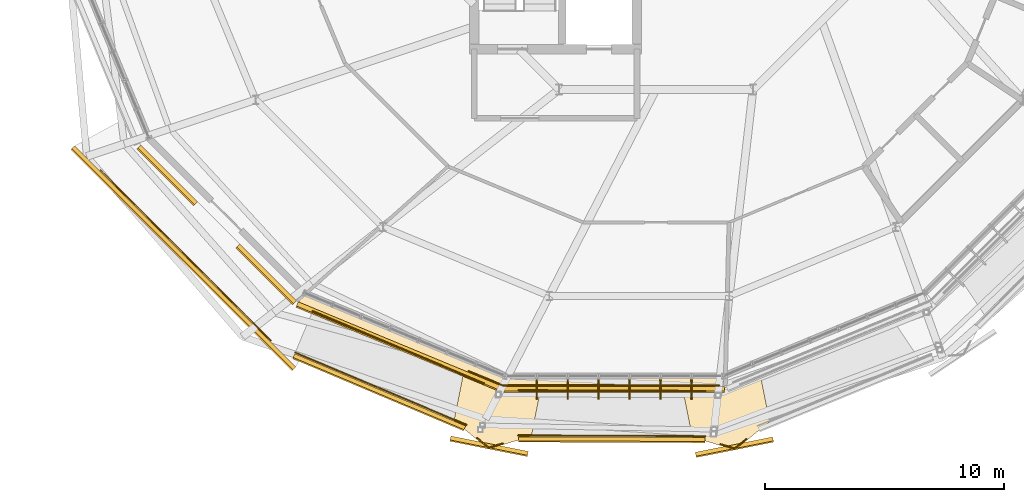
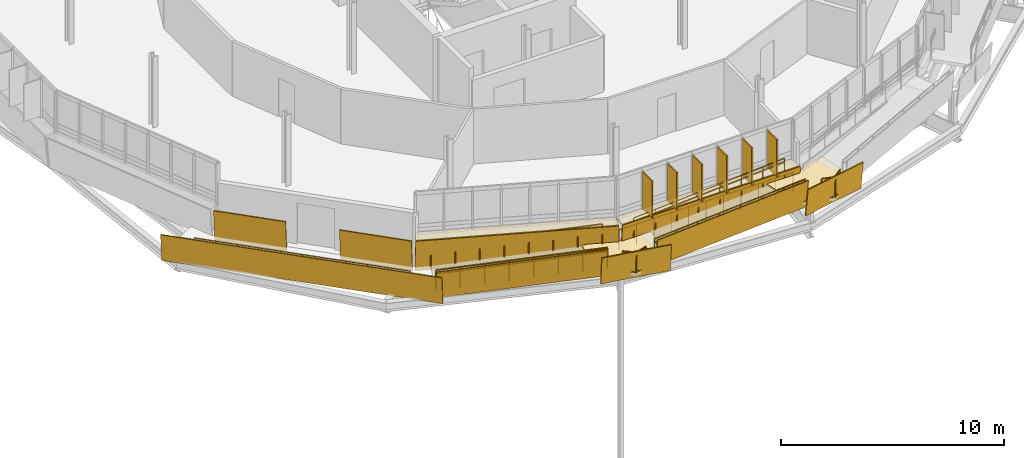
# One storey, part 32 of 38: 23 railings, 13 coverings, 6 shading devices.
"""IFC4 building model written with IfcOpenShell, lengths in metres."""

import ifcopenshell
import ifcopenshell.guid

model = None  # the IFC model being written
_history = None  # IfcOwnerHistory: only IFC2X3 demands one
_inside = {}  # id of a spatial element -> (the spatial element, [elements in it])
_under = {}  # id of a project, library or spatial element -> (it, [spatial elements below it])
_declared = {}  # id of a project -> (the project, [libraries it declares])
_typed = {}  # id of a type object -> (the type object, [elements of that type])
_made_of = {}  # id of a material, layer set ... -> (it, [elements and type objects made of it])


def new_model(schema):
    """Start an empty IFC model of exactly this schema.

    Asked for "IFC4X3", IfcOpenShell would pick the latest addendum, in which some entities
    have other attributes; the version numbers below select the first issue.
    IFC2X3 requires an IfcOwnerHistory on every rooted entity: one is made here for all.
    """
    global model, _history
    if schema == "IFC4X3":
        model = ifcopenshell.file(schema_version=(4, 3, 0, 0))
    else:
        model = ifcopenshell.file(schema=schema)
    _inside.clear()
    _under.clear()
    _declared.clear()
    _typed.clear()
    _made_of.clear()
    _history = None
    if model.schema == "IFC2X3":
        org = make("IfcOrganization", Name="unknown")
        user = make(
            "IfcPersonAndOrganization",
            ThePerson=make("IfcPerson", FamilyName="unknown"),
            TheOrganization=org,
        )
        app = make(
            "IfcApplication",
            ApplicationDeveloper=org,
            Version="unknown",
            ApplicationFullName="unknown",
            ApplicationIdentifier="unknown",
        )
        _history = make(
            "IfcOwnerHistory",
            OwningUser=user,
            OwningApplication=app,
            ChangeAction="ADDED",
            CreationDate=0,
        )
    return model


def make(cls, **values):
    """One entity of the class cls with the attributes given. An attribute that is None is left unset."""
    return model.create_entity(
        cls, **{name: value for name, value in values.items() if value is not None}
    )


def rooted(cls, **values):
    """An entity with a GlobalId (a new one), such as an element, a storey or a relation."""
    return make(cls, GlobalId=ifcopenshell.guid.new(), OwnerHistory=_history, **values)


def si_unit(unit_type, name, prefix=None):
    """IfcSIUnit, for example si_unit("LENGTHUNIT", "METRE", prefix="MILLI")."""
    return make("IfcSIUnit", UnitType=unit_type, Prefix=prefix, Name=name)


def derived_unit(unit_type, elements):
    """IfcDerivedUnit: a product of units, each with its exponent."""
    return make(
        "IfcDerivedUnit",
        Elements=[
            make("IfcDerivedUnitElement", Unit=unit, Exponent=power)
            for unit, power in elements
        ],
        UnitType=unit_type,
    )


def assignment(units):
    """IfcUnitAssignment: the units of a project."""
    return None if units is None else make("IfcUnitAssignment", Units=units)


def point(xyz):
    """IfcCartesianPoint."""
    return None if xyz is None else make("IfcCartesianPoint", Coordinates=xyz)


def direction(xyz):
    """IfcDirection."""
    return None if xyz is None else make("IfcDirection", DirectionRatios=xyz)


def frame(location, z_axis=None, x_axis=None):
    """IfcAxis2Placement3D, a coordinate frame: its origin and axes. An axis left out is left unset."""
    return make(
        "IfcAxis2Placement3D",
        Location=point(location),
        Axis=direction(z_axis),
        RefDirection=direction(x_axis),
    )


def frame_2d(location, x_axis=None):
    """IfcAxis2Placement2D, a coordinate frame in the plane: its origin and x axis."""
    return make(
        "IfcAxis2Placement2D", Location=point(location), RefDirection=direction(x_axis)
    )


def origin():
    """The frame at (0, 0, 0) with its axes left unset."""
    return frame((0.0, 0.0, 0.0))


def origin_2d():
    """The frame at (0, 0) in the plane with its x axis left unset."""
    return frame_2d((0.0, 0.0))


def place(relative_to, where):
    """IfcLocalPlacement: puts the frame where relative to a parent placement (None: the world)."""
    return make(
        "IfcLocalPlacement", PlacementRelTo=relative_to, RelativePlacement=where
    )


def context(
    kind, dimensions, precision=None, world=None, true_north=None, identifier=None
):
    """IfcGeometricRepresentationContext, for example the 3D "Model" context."""
    return make(
        "IfcGeometricRepresentationContext",
        ContextIdentifier=identifier,
        ContextType=kind,
        CoordinateSpaceDimension=dimensions,
        Precision=precision,
        WorldCoordinateSystem=world,
        TrueNorth=true_north,
    )


def subcontext(parent, identifier, kind, view, scale=None):
    """IfcGeometricRepresentationSubContext, for example "Body" below "Model"."""
    return make(
        "IfcGeometricRepresentationSubContext",
        ContextIdentifier=identifier,
        ContextType=kind,
        ParentContext=parent,
        TargetScale=scale,
        TargetView=view,
    )


def project(units=None, contexts=None):
    """IfcProject with its units and contexts."""
    return rooted(
        "IfcProject",
        Name="project",
        RepresentationContexts=contexts,
        UnitsInContext=assignment(units),
    )


def spatial(cls, under=None, at=None, **own):
    """A site, building, storey or space (cls), placed at a placement, below another one or the project."""
    s = rooted(cls, ObjectPlacement=at, **own)
    if under is not None:
        _under.setdefault(under.id(), (under, []))[1].append(s)
    return s


def polyline(points):
    """IfcPolyline through the points."""
    return make("IfcPolyline", Points=[point(p) for p in points])


def profile(cls, at=None, kind="AREA", **sizes):
    """A parametric profile (cls). Its sizes go by their IFC names, for example OverallWidth=200.0."""
    return make(cls, ProfileType=kind, Position=at, **sizes)


def rectangle(**sizes):
    """IfcRectangleProfileDef."""
    return profile("IfcRectangleProfileDef", **sizes)


def circle(**sizes):
    """IfcCircleProfileDef."""
    return profile("IfcCircleProfileDef", **sizes)


def outline(outer, holes=None, kind="AREA"):
    """IfcArbitraryClosedProfileDef: a profile drawn as a closed curve; with holes, ...WithVoids."""
    if holes is None:
        return make("IfcArbitraryClosedProfileDef", ProfileType=kind, OuterCurve=outer)
    return make(
        "IfcArbitraryProfileDefWithVoids",
        ProfileType=kind,
        OuterCurve=outer,
        InnerCurves=holes,
    )


def extrude(swept, where, along, depth):
    """IfcExtrudedAreaSolid: the profile swept, set in the frame where, extruded along a direction by depth."""
    return make(
        "IfcExtrudedAreaSolid",
        SweptArea=swept,
        Position=where,
        ExtrudedDirection=direction(along),
        Depth=depth,
    )


def shape(context_of_items, identifier, shape_type, items):
    """IfcShapeRepresentation: the items that make up one representation, for example the "Body"."""
    return make(
        "IfcShapeRepresentation",
        ContextOfItems=context_of_items,
        RepresentationIdentifier=identifier,
        RepresentationType=shape_type,
        Items=items,
    )


def material(Name=None, Category=None):
    """IfcMaterial."""
    return make("IfcMaterial", Name=Name, Category=Category)


def layer(
    of_material, thickness, ventilated=None, Name=None, Category=None, Priority=None
):
    """IfcMaterialLayer: one layer of a wall or slab, of a material (None: an air gap)."""
    return make(
        "IfcMaterialLayer",
        Material=of_material,
        LayerThickness=thickness,
        IsVentilated=ventilated,
        Name=Name,
        Category=Category,
        Priority=Priority,
    )


def layer_set(layers, Name=None):
    """IfcMaterialLayerSet."""
    return make("IfcMaterialLayerSet", MaterialLayers=layers, LayerSetName=Name)


def made_of(thing, what):
    """Note that an element or type object is made of a material, layer set ...; save() writes the relation."""
    if what is not None:
        _made_of.setdefault(what.id(), (what, []))[1].append(thing)
    return thing


def type_object(cls, material=None, **own):
    """A type object (cls), such as IfcWallType, which elements share."""
    return made_of(rooted(cls, **own), material)


def element(
    cls,
    number,
    at=None,
    inside=None,
    cuts=None,
    type_object=None,
    material=None,
    context=None,
    identifier="Body",
    shape_type=None,
    held_by="IfcProductDefinitionShape",
    body=None,
    shapes=None,
    **own,
):
    """One element of the class cls, such as IfcWall. Its Tag is "e" and its number.

    at: its placement. inside: the storey or other place that contains it. cuts: it is an
    opening in that element (IfcRelVoidsElement). A single representation is given by context,
    identifier, shape_type and body (its items); several are given by shapes. held_by: the class
    of the entity that holds the representations. save() writes the other relations.
    """
    e = rooted(cls, Tag="e%d" % number, ObjectPlacement=at, **own)
    if body is not None:
        shapes = [shape(context, identifier, shape_type, body)]
    if shapes is not None:
        e.Representation = make(held_by, Representations=shapes)
    if inside is not None:
        _inside.setdefault(inside.id(), (inside, []))[1].append(e)
    if cuts is not None:
        rooted(
            "IfcRelVoidsElement", RelatingBuildingElement=cuts, RelatedOpeningElement=e
        )
    if type_object is not None:
        _typed.setdefault(type_object.id(), (type_object, []))[1].append(e)
    return made_of(e, material)


def aggregate(whole, parts):
    """IfcRelAggregates: a whole, such as a stair, and the parts it consists of."""
    return rooted("IfcRelAggregates", RelatingObject=whole, RelatedObjects=parts)


def save(model, path):
    """Write the relations noted so far, then the file.

    IfcRelAggregates (storeys below a building ...), IfcRelContainedInSpatialStructure (elements
    in a storey), IfcRelDefinesByType, IfcRelAssociatesMaterial and IfcRelDeclares: one each for
    every whole, place, type object, material and project.
    """
    for whole, parts in _under.values():
        aggregate(whole, parts)
    for where, things in _inside.values():
        rooted(
            "IfcRelContainedInSpatialStructure",
            RelatedElements=things,
            RelatingStructure=where,
        )
    for kind, things in _typed.values():
        rooted("IfcRelDefinesByType", RelatedObjects=things, RelatingType=kind)
    for what, things in _made_of.values():
        rooted("IfcRelAssociatesMaterial", RelatedObjects=things, RelatingMaterial=what)
    for by, libraries in _declared.values():
        rooted("IfcRelDeclares", RelatingContext=by, RelatedDefinitions=libraries)
    model.write(path)


model = new_model("IFC4")

# Units and contexts
model_context = context("Model", 3, precision=1e-05, world=origin(), true_north=direction((0.0, 1.0)))
body_context = subcontext(model_context, "Body", "Model", "MODEL_VIEW")
ifc_project = project(units=[si_unit("LENGTHUNIT", "METRE"), si_unit("AREAUNIT", "SQUARE_METRE"), si_unit("VOLUMEUNIT", "CUBIC_METRE"), si_unit("PLANEANGLEUNIT", "RADIAN"), si_unit("MASSUNIT", "GRAM", prefix="KILO"), derived_unit("THERMALTRANSMITTANCEUNIT", [(si_unit("MASSUNIT", "GRAM", prefix="KILO"), 1), (si_unit("TIMEUNIT", "SECOND"), -3), (si_unit("THERMODYNAMICTEMPERATUREUNIT", "KELVIN"), -1)])], contexts=[model_context])

# Site, building, storey
site_placement = place(None, origin())
site = spatial("IfcSite", under=ifc_project, at=site_placement, CompositionType="ELEMENT")
building_placement = place(site_placement, origin())
building = spatial("IfcBuilding", under=site, at=building_placement, Name="Makaiwela Harbour Ferry Terminal", CompositionType="ELEMENT")
storey_placement = place(building_placement, frame((0.0, 0.0, 17.699951171875)))
storey = spatial("IfcBuildingStorey", under=building, at=storey_placement, Name="L04", CompositionType="ELEMENT", Elevation=17.699951171875)

# Coverings
ifc_material_1 = material(Name="White glazed marine ceramic rainscreen tile", Category="masonry")
ifc_layer_1 = layer(ifc_material_1, 0.054931640625)
ifc_layer_set_1 = layer_set([ifc_layer_1], Name="White glazed marine ceramic rainscreen tile")
covering_type_1 = type_object("IfcCoveringType", Name="ENV-CLD-CERAMIC", PredefinedType="CLADDING", material=ifc_layer_set_1)
covering_1_placement = place(storey_placement, frame((16.256103515625, 55.485595703125, -0.219970703125), z_axis=(0.702887667914, 0.702887667914, 0.109077278057), x_axis=(0.707106781187, -0.707106781187, 0.0)))
element("IfcCovering", 1, at=covering_1_placement, inside=storey, type_object=covering_type_1, Name="Ceramic Spandrel Facet CLD-0113", PredefinedType="CLADDING", context=body_context, shape_type="SweptSolid", body=[
    extrude(outline(polyline([(0.0, 0.0), (3.35288767192508, 0.0), (3.35288767192508, -1.7504346001346647), (0.0, -1.7504346001346647), (0.0, 0.0)])), origin(), (0.0, 0.0, -1.0), 0.054931640625),
])
covering_2_placement = place(storey_placement, frame((20.394775390625, 51.346923828125, -0.219970703125), z_axis=(0.702865790577, 0.702901981597, 0.109126003789), x_axis=(0.707125201967, -0.707088359921, -2.792778e-06)))
element("IfcCovering", 2, at=covering_2_placement, inside=storey, type_object=covering_type_1, Name="Ceramic Spandrel Facet CLD-0114", PredefinedType="CLADDING", context=body_context, shape_type="SweptSolid", body=[
    extrude(outline(polyline([(0.0, 0.0), (3.352715041780134, -2.7755575615628914e-17), (3.3528778373316914, -1.7504534377771213), (-9.833442563572343e-06, -1.7504345980040703), (0.0, 0.0)])), origin(), (0.0, 0.0, -1.0), 0.054931640625),
])
covering_3_placement = place(storey_placement, frame((22.83740234375, 48.92578125, -0.219970703125), z_axis=(0.380383324546, 0.918373003577, 0.109085070968), x_axis=(0.923886404212, -0.382666842189, -7.76523e-07)))
element("IfcCovering", 3, at=covering_3_placement, inside=storey, type_object=covering_type_1, Name="Ceramic Spandrel Facet CLD-0115", PredefinedType="CLADDING", context=body_context, shape_type="SweptSolid", body=[
    extrude(outline(polyline([(0.0, 0.0), (9.225606611795858, 0.0), (9.225709287030941, -1.7504433130129173), (-0.00021630749108841486, -1.750428898954605), (0.0, 0.0)])), origin(), (0.0, 0.0, -1.0), 0.054931640625),
])
covering_4_placement = place(storey_placement, frame((0.0, 0.0, 1.47998046875)))
element("IfcCovering", 4, at=covering_4_placement, inside=storey, type_object=covering_type_1, Name="Ceramic Ring Sill Cap CLD-0116", PredefinedType="CLADDING", context=body_context, shape_type="SweptSolid", body=[
    extrude(outline(polyline([(22.76416015625, 48.74951171875), (31.287841796875, 45.218994140625), (31.457275390625, 45.8310546875), (23.077392578125, 49.302001953125), (22.76416015625, 48.74951171875)])), origin(), (0.0, 0.0, 1.0), 0.05517578125),
])
covering_5_placement = place(storey_placement, frame((31.43701171875, 45.38037109375, -0.219970703125), z_axis=(0.0, 0.994019050726, 0.109206807453), x_axis=(1.0, 0.0, 0.0)))
element("IfcCovering", 5, at=covering_5_placement, inside=storey, type_object=covering_type_1, Name="Ceramic Spandrel Facet CLD-0117", PredefinedType="CLADDING", context=body_context, shape_type="SweptSolid", body=[
    extrude(outline(polyline([(0.0, 0.0), (9.225830078125, 0.0), (9.225830078125, -1.7504596447165146), (0.0, -1.7504596447165146), (0.0, 0.0)])), origin(), (0.0, 0.0, -1.0), 0.054931640625),
])
covering_6_placement = place(storey_placement, frame((0.0, 0.0, 1.47998046875)))
element("IfcCovering", 6, at=covering_6_placement, inside=storey, type_object=covering_type_1, Name="Ceramic Ring Sill Cap CLD-0118", PredefinedType="CLADDING", context=body_context, shape_type="SweptSolid", body=[
    extrude(outline(polyline([(31.43701171875, 45.189208984375), (40.662841796875, 45.189208984375), (40.585205078125, 45.819580078125), (31.514892578125, 45.819580078125), (31.43701171875, 45.189208984375)])), origin(), (0.0, 0.0, 1.0), 0.05517578125),
])
covering_7_placement = place(storey_placement, frame((13.48046875, 55.44970703125, -0.33984375), z_axis=(0.702827062828, 0.702827062828, 0.109855539298), x_axis=(0.707106781187, -0.707106781187, 0.0)))
element("IfcCovering", 7, at=covering_7_placement, inside=storey, type_object=covering_type_1, Name="Coiled Ramp Ceramic Fascia CLD-R0004", PredefinedType="CLADDING", context=body_context, shape_type="SweptSolid", body=[
    extrude(outline(polyline([(0.0, 0.0), (13.080439651002127, 0.0), (13.080612284493627, -1.529029744910527), (-0.00017263349150060947, -1.529029744910527), (0.0, 0.0)])), origin(), (0.0, 0.0, -1.0), 0.054931640625),
])
covering_8_placement = place(storey_placement, frame((22.686767578125, 46.75341796875, -0.33984375), z_axis=(0.379502714764, 0.918628896506, 0.109993817966), x_axis=(0.918812490502, -0.388149335175, 0.07158003143)))
element("IfcCovering", 8, at=covering_8_placement, inside=storey, type_object=covering_type_1, Name="Coiled Ramp Ceramic Fascia CLD-R0061", PredefinedType="CLADDING", context=body_context, shape_type="SweptSolid", body=[
    extrude(outline(polyline([(0.0, 0.0), (7.780154064874079, 1.1102230246251565e-16), (7.888919252064476, -1.5254078039961358), (0.10861815516238035, -1.5252102934882006), (0.0, 0.0)])), origin(), (0.0, 0.0, -1.0), 0.054931640625),
])
covering_9_placement = place(storey_placement, frame((29.222900390625, 43.312255859375, 0.217041015625), z_axis=(0.193903350723, 0.974847808952, 0.109878296131), x_axis=(0.980786439872, -0.195084492878, -7.88069e-07)))
element("IfcCovering", 9, at=covering_9_placement, inside=storey, type_object=covering_type_1, Name="Coiled Ramp Ceramic Fascia CLD-R0062", PredefinedType="CLADDING", context=body_context, shape_type="SweptSolid", body=[
    extrude(outline(polyline([(0.0, 0.0), (3.300220807507284, 0.0), (3.3000428184428356, -1.5292818589350756), (6.146074997400159e-05, -1.5292766258336519), (0.0, 0.0)])), origin(), (0.0, 0.0, -1.0), 0.054931640625),
])
covering_10_placement = place(storey_placement, frame((32.04443359375, 43.281494140625, 0.217041015625), z_axis=(-0.00407115966, 0.9939329389, 0.109912413446), x_axis=(0.99745315404, -0.003790592035, 0.0712238507)))
element("IfcCovering", 10, at=covering_10_placement, inside=storey, type_object=covering_type_1, Name="Coiled Ramp Ceramic Fascia CLD-R0063", PredefinedType="CLADDING", context=body_context, shape_type="SweptSolid", body=[
    extrude(outline(polyline([(0.0, 0.0), (7.825838915401263, 0.0), (7.934250222889666, -1.5254245600698741), (0.10841223292591187, -1.5254513966048175), (0.0, 0.0)])), origin(), (0.0, 0.0, -1.0), 0.054931640625),
])
covering_11_placement = place(storey_placement, frame((39.44287109375, 42.631591796875, 0.7744140625), z_axis=(-0.193910717395, 0.974848077551, 0.109862911737), x_axis=(0.98078501504, 0.195091656081, 0.0)))
element("IfcCovering", 11, at=covering_11_placement, inside=storey, type_object=covering_type_1, Name="Coiled Ramp Ceramic Fascia CLD-R0064", PredefinedType="CLADDING", context=body_context, shape_type="SweptSolid", body=[
    extrude(outline(polyline([(0.0, 0.0), (3.299981357781899, -1.3877787807814457e-17), (3.2999174720790077, -1.52927662591745), (-6.388570289143913e-05, -1.52927662591745), (0.0, 0.0)])), origin(), (0.0, 0.0, -1.0), 0.054931640625),
])

# Shading devices
ifc_material_2 = material(Name="Thermally modified Accoya timber and anodised aluminium", Category="wood")
ifc_layer_2 = layer(ifc_material_2, 0.06005859375)
ifc_layer_set_2 = layer_set([ifc_layer_2], Name="Thermally modified Accoya timber and anodised aluminium")
shading_device_type = type_object("IfcShadingDeviceType", Name="ENV-FIN-850", PredefinedType="USERDEFINED", material=ifc_layer_set_2)
for number, where, z_axis, x_axis, name in (
    (12, (32.810546875, 45.281494140625, 1.60400390625), (0.0, 0.0, 1.0), (0.0, -1.0, 0.0), "Vertical Solar Fin SFN-0132"),
    (13, (34.1064453125, 45.281494140625, 1.60400390625), (0.0, 0.0, 1.0), (0.0, -1.0, 0.0), "Vertical Solar Fin SFN-0133"),
    (14, (35.402099609375, 45.281494140625, 1.60400390625), (0.0, 0.0, 1.0), (0.0, -1.0, 0.0), "Vertical Solar Fin SFN-0134"),
    (15, (36.697998046875, 45.281494140625, 1.60400390625), (0.0, 0.0, 1.0), (0.0, -1.0, 0.0), "Vertical Solar Fin SFN-0135"),
    (16, (37.99365234375, 45.281494140625, 1.60400390625), (0.0, 0.0, 1.0), (0.0, -1.0, 0.0), "Vertical Solar Fin SFN-0136"),
    (17, (39.289306640625, 45.281494140625, 1.60400390625), (0.0, 0.0, 1.0), (0.0, -1.0, 0.0), "Vertical Solar Fin SFN-0137"),
):
    element("IfcShadingDevice", number, at=place(storey_placement, frame(where, z_axis=z_axis, x_axis=x_axis)), inside=storey, type_object=shading_device_type, Name=name, ObjectType="SOLAR FIN", PredefinedType="USERDEFINED", context=body_context, shape_type="SweptSolid", body=[
        extrude(rectangle(XDim=0.85009765625, YDim=0.06005859375, at=origin_2d()), origin(), (0.0, 0.0, 1.0), 2.0400390625),
    ])

# Coverings
ifc_material_3 = material(Name="Honed coral-aggregate epoxy terrazzo flooring", Category="concrete")
ifc_layer_3 = layer(ifc_material_3, 0.02490234375)
ifc_layer_set_3 = layer_set([ifc_layer_3], Name="Honed coral-aggregate epoxy terrazzo flooring")
covering_type_2 = type_object("IfcCoveringType", Name="INT-COV-FLR", PredefinedType="FLOORING", material=ifc_layer_set_3)
covering_12_placement = place(storey_placement, frame((0.0, 0.0, 0.55712890625)))
element("IfcCovering", 18, at=covering_12_placement, inside=storey, type_object=covering_type_2, Name="Ramp Landing Terrazzo RMP-COIL-L04-L1", PredefinedType="FLOORING", context=body_context, shape_type="SweptSolid", body=[
    extrude(outline(polyline([(32.293212890625, 45.33935546875), (31.30908203125, 45.33935546875), (31.308837890625, 45.33935546875), (31.30859375, 45.33935546875), (31.308349609375, 45.33935546875), (31.30810546875, 45.339599609375), (30.39892578125, 45.716064453125), (29.727783203125, 45.849609375), (29.34912109375, 43.947021484375), (30.7978515625, 42.771728515625), (32.585693359375, 43.302978515625), (32.96435546875, 45.205810546875), (32.293212890625, 45.33935546875)])), origin(), (0.0, 0.0, 1.0), 0.02490234375),
])
covering_13_placement = place(storey_placement, frame((0.0, 0.0, 1.1142578125)))
element("IfcCovering", 19, at=covering_13_placement, inside=storey, type_object=covering_type_2, Name="Ramp Landing Terrazzo RMP-COIL-L04-L2", PredefinedType="FLOORING", context=body_context, shape_type="SweptSolid", body=[
    extrude(outline(polyline([(41.503662109375, 45.67919921875), (40.59423828125, 45.302490234375), (40.593994140625, 45.302490234375), (40.593994140625, 45.302490234375), (40.59375, 45.302490234375), (40.593505859375, 45.302490234375), (39.609130859375, 45.302490234375), (38.93798828125, 45.1689453125), (39.316650390625, 43.26611328125), (41.1044921875, 42.73486328125), (42.55322265625, 43.909912109375), (42.1748046875, 45.812744140625), (41.503662109375, 45.67919921875)])), origin(), (0.0, 0.0, 1.0), 0.025146484375),
])

# Railings
ifc_material_4 = material(Name="Marine grade 316L brushed stainless steel", Category="steel")
railing_type_1 = type_object("IfcRailingType", Name="INT-RL-GRD110", PredefinedType="GUARDRAIL", material=ifc_material_4)
railing_1_placement = place(storey_placement, frame((23.4404296875, 48.53759765625, 0.0)))
element("IfcRailing", 20, at=railing_1_placement, inside=storey, type_object=railing_type_1, Name="Ramp guardrail RL-0217", PredefinedType="GUARDRAIL", context=body_context, shape_type="SweptSolid", body=[
    extrude(circle(Radius=0.02392578125, at=origin_2d()), frame((0.0, 0.0, 1.09619140625), z_axis=(0.918806930447, -0.388157567352, 0.071606755756), x_axis=(0.389156555045, 0.921171632035, 0.0)), (0.0, 0.0, 1.0), 7.780517578125),
    extrude(circle(Radius=0.02099609375, at=origin_2d()), origin(), (0.0, 0.0, 1.0), 1.072021484375),
    extrude(circle(Radius=0.02099609375, at=origin_2d()), frame((1.021240234375, -0.431396484375, 0.07958984375)), (0.0, 0.0, 1.0), 1.072021484375),
    extrude(circle(Radius=0.02099609375, at=origin_2d()), frame((2.04248046875, -0.86279296875, 0.1591796875)), (0.0, 0.0, 1.0), 1.072021484375),
    extrude(circle(Radius=0.02099609375, at=origin_2d()), frame((3.063720703125, -1.294189453125, 0.23876953125)), (0.0, 0.0, 1.0), 1.072021484375),
    extrude(circle(Radius=0.02099609375, at=origin_2d()), frame((4.0849609375, -1.725830078125, 0.318359375)), (0.0, 0.0, 1.0), 1.072021484375),
    extrude(circle(Radius=0.02099609375, at=origin_2d()), frame((5.106201171875, -2.1572265625, 0.39794921875)), (0.0, 0.0, 1.0), 1.072021484375),
    extrude(circle(Radius=0.02099609375, at=origin_2d()), frame((6.12744140625, -2.588623046875, 0.4775390625)), (0.0, 0.0, 1.0), 1.072021484375),
    extrude(circle(Radius=0.02099609375, at=origin_2d()), frame((7.148681640625, -3.02001953125, 0.55712890625)), (0.0, 0.0, 1.0), 1.072021484375),
])
railing_2_placement = place(storey_placement, frame((22.708984375, 46.805908203125, 0.0)))
element("IfcRailing", 21, at=railing_2_placement, inside=storey, type_object=railing_type_1, Name="Ramp guardrail RL-0219", PredefinedType="GUARDRAIL", context=body_context, shape_type="SweptSolid", body=[
    extrude(circle(Radius=0.02392578125, at=origin_2d()), frame((0.0, 0.0, 1.09619140625), z_axis=(0.91880204159, -0.388168758691, 0.071608820318), x_axis=(0.389167833017, 0.921166867481, 0.0)), (0.0, 0.0, 1.0), 7.7802734375),
    extrude(circle(Radius=0.02099609375, at=origin_2d()), origin(), (0.0, 0.0, 1.0), 1.072021484375),
    extrude(circle(Radius=0.02099609375, at=origin_2d()), frame((1.021240234375, -0.431396484375, 0.07958984375)), (0.0, 0.0, 1.0), 1.072021484375),
    extrude(circle(Radius=0.02099609375, at=origin_2d()), frame((2.04248046875, -0.86279296875, 0.1591796875)), (0.0, 0.0, 1.0), 1.072021484375),
    extrude(circle(Radius=0.02099609375, at=origin_2d()), frame((3.063720703125, -1.294189453125, 0.23876953125)), (0.0, 0.0, 1.0), 1.072021484375),
    extrude(circle(Radius=0.02099609375, at=origin_2d()), frame((4.084716796875, -1.725830078125, 0.318359375)), (0.0, 0.0, 1.0), 1.072021484375),
    extrude(circle(Radius=0.02099609375, at=origin_2d()), frame((5.10595703125, -2.1572265625, 0.39794921875)), (0.0, 0.0, 1.0), 1.072021484375),
    extrude(circle(Radius=0.02099609375, at=origin_2d()), frame((6.127197265625, -2.588623046875, 0.4775390625)), (0.0, 0.0, 1.0), 1.072021484375),
    extrude(circle(Radius=0.02099609375, at=origin_2d()), frame((7.1484375, -3.02001953125, 0.55712890625)), (0.0, 0.0, 1.0), 1.072021484375),
])
railing_3_placement = place(storey_placement, frame((32.052001953125, 45.218505859375, 0.55712890625)))
element("IfcRailing", 22, at=railing_3_placement, inside=storey, type_object=railing_type_1, Name="Ramp guardrail RL-0221", PredefinedType="GUARDRAIL", context=body_context, shape_type="SweptSolid", body=[
    extrude(circle(Radius=0.02392578125, at=origin_2d()), frame((0.0, 0.0, 1.09619140625), z_axis=(0.9974554328, -0.003806010159, 0.071191108049), x_axis=(0.003815691736, 0.999992720222, 0.0)), (0.0, 0.0, 1.0), 7.825927734375),
    extrude(circle(Radius=0.02099609375, at=origin_2d()), origin(), (0.0, 0.0, 1.0), 1.072021484375),
    extrude(circle(Radius=0.02099609375, at=origin_2d()), frame((1.115234375, -0.004150390625, 0.07958984375)), (0.0, 0.0, 1.0), 1.072021484375),
    extrude(circle(Radius=0.02099609375, at=origin_2d()), frame((2.230224609375, -0.008544921875, 0.1591796875)), (0.0, 0.0, 1.0), 1.072021484375),
    extrude(circle(Radius=0.02099609375, at=origin_2d()), frame((3.345458984375, -0.0126953125, 0.23876953125)), (0.0, 0.0, 1.0), 1.072021484375),
    extrude(circle(Radius=0.02099609375, at=origin_2d()), frame((4.46044921875, -0.01708984375, 0.318359375)), (0.0, 0.0, 1.0), 1.072021484375),
    extrude(circle(Radius=0.02099609375, at=origin_2d()), frame((5.57568359375, -0.021240234375, 0.39794921875)), (0.0, 0.0, 1.0), 1.072021484375),
    extrude(circle(Radius=0.02099609375, at=origin_2d()), frame((6.690673828125, -0.025634765625, 0.4775390625)), (0.0, 0.0, 1.0), 1.072021484375),
    extrude(circle(Radius=0.02099609375, at=origin_2d()), frame((7.805908203125, -0.02978515625, 0.55712890625)), (0.0, 0.0, 1.0), 1.072021484375),
])
railing_4_placement = place(storey_placement, frame((32.044677734375, 43.33837890625, 0.55712890625)))
element("IfcRailing", 23, at=railing_4_placement, inside=storey, type_object=railing_type_1, Name="Ramp guardrail RL-0223", PredefinedType="GUARDRAIL", context=body_context, shape_type="SweptSolid", body=[
    extrude(circle(Radius=0.02392578125, at=origin_2d()), frame((0.0, 0.0, 1.09619140625), z_axis=(0.997455550747, -0.0037748138, 0.071191116467), x_axis=(0.003784416024, 0.999992839072, 0.0)), (0.0, 0.0, 1.0), 7.825927734375),
    extrude(circle(Radius=0.02099609375, at=origin_2d()), origin(), (0.0, 0.0, 1.0), 1.072021484375),
    extrude(circle(Radius=0.02099609375, at=origin_2d()), frame((1.115234375, -0.004150390625, 0.07958984375)), (0.0, 0.0, 1.0), 1.072021484375),
    extrude(circle(Radius=0.02099609375, at=origin_2d()), frame((2.230224609375, -0.008544921875, 0.1591796875)), (0.0, 0.0, 1.0), 1.072021484375),
    extrude(circle(Radius=0.02099609375, at=origin_2d()), frame((3.345458984375, -0.0126953125, 0.23876953125)), (0.0, 0.0, 1.0), 1.072021484375),
    extrude(circle(Radius=0.02099609375, at=origin_2d()), frame((4.46044921875, -0.016845703125, 0.318359375)), (0.0, 0.0, 1.0), 1.072021484375),
    extrude(circle(Radius=0.02099609375, at=origin_2d()), frame((5.57568359375, -0.02099609375, 0.39794921875)), (0.0, 0.0, 1.0), 1.072021484375),
    extrude(circle(Radius=0.02099609375, at=origin_2d()), frame((6.690673828125, -0.025390625, 0.4775390625)), (0.0, 0.0, 1.0), 1.072021484375),
    extrude(circle(Radius=0.02099609375, at=origin_2d()), frame((7.805908203125, -0.029541015625, 0.55712890625)), (0.0, 0.0, 1.0), 1.072021484375),
])
for number, where, name in (
    (24, (40.4443359375, 45.42333984375, 0.0), "Deck edge guardrail RL-0817"),
    (25, (38.63671875, 45.42333984375, 0.0), "Deck edge guardrail RL-0818"),
    (26, (36.8291015625, 45.42333984375, 0.0), "Deck edge guardrail RL-0819"),
):
    element("IfcRailing", number, at=place(storey_placement, frame(where)), inside=storey, type_object=railing_type_1, Name=name, PredefinedType="GUARDRAIL", context=body_context, shape_type="SweptSolid", body=[
        extrude(circle(Radius=0.02392578125, at=origin_2d()), frame((0.0, 0.0, 1.09619140625), z_axis=(-1.0, 0.0, 0.0), x_axis=(0.0, -1.0, 0.0)), (0.0, 0.0, 1.0), 1.8076171875),
        extrude(circle(Radius=0.02099609375, at=origin_2d()), origin(), (0.0, 0.0, 1.0), 1.072021484375),
        extrude(circle(Radius=0.02099609375, at=origin_2d()), frame((-0.90380859375, 0.0, 0.0)), (0.0, 0.0, 1.0), 1.072021484375),
        extrude(circle(Radius=0.02099609375, at=origin_2d()), frame((-1.8076171875, 0.0, 0.0)), (0.0, 0.0, 1.0), 1.072021484375),
    ])
railing_5_placement = place(storey_placement, frame((35.021484375, 45.42333984375, 0.0)))
element("IfcRailing", 27, at=railing_5_placement, inside=storey, type_object=railing_type_1, Name="Deck edge guardrail RL-0820", PredefinedType="GUARDRAIL", context=body_context, shape_type="SweptSolid", body=[
    extrude(circle(Radius=0.02392578125, at=origin_2d()), frame((0.0, 0.0, 1.09619140625), z_axis=(-1.0, 0.0, 0.0), x_axis=(0.0, -1.0, 0.0)), (0.0, 0.0, 1.0), 1.807861328125),
    extrude(circle(Radius=0.02099609375, at=origin_2d()), origin(), (0.0, 0.0, 1.0), 1.072021484375),
    extrude(circle(Radius=0.02099609375, at=origin_2d()), frame((-0.90380859375, 0.0, 0.0)), (0.0, 0.0, 1.0), 1.072021484375),
    extrude(circle(Radius=0.02099609375, at=origin_2d()), frame((-1.807861328125, 0.0, 0.0)), (0.0, 0.0, 1.0), 1.072021484375),
])
railing_6_placement = place(storey_placement, frame((33.213623046875, 45.42333984375, 0.0)))
element("IfcRailing", 28, at=railing_6_placement, inside=storey, type_object=railing_type_1, Name="Deck edge guardrail RL-0821", PredefinedType="GUARDRAIL", context=body_context, shape_type="SweptSolid", body=[
    extrude(circle(Radius=0.02392578125, at=origin_2d()), frame((0.0, 0.0, 1.09619140625), z_axis=(-1.0, 0.0, 0.0), x_axis=(0.0, -1.0, 0.0)), (0.0, 0.0, 1.0), 1.8076171875),
    extrude(circle(Radius=0.02099609375, at=origin_2d()), origin(), (0.0, 0.0, 1.0), 1.072021484375),
    extrude(circle(Radius=0.02099609375, at=origin_2d()), frame((-0.90380859375, 0.0, 0.0)), (0.0, 0.0, 1.0), 1.072021484375),
    extrude(circle(Radius=0.02099609375, at=origin_2d()), frame((-1.8076171875, 0.0, 0.0)), (0.0, 0.0, 1.0), 1.072021484375),
])
railing_7_placement = place(storey_placement, frame((31.406005859375, 45.42333984375, 0.0)))
element("IfcRailing", 29, at=railing_7_placement, inside=storey, type_object=railing_type_1, Name="Deck edge guardrail RL-0822", PredefinedType="GUARDRAIL", context=body_context, shape_type="SweptSolid", body=[
    extrude(circle(Radius=0.02392578125, at=origin_2d()), frame((0.0, 0.0, 1.09619140625), z_axis=(-0.923878027619, 0.382687065476, 0.0), x_axis=(-0.382687065476, -0.923878027619, 0.0)), (0.0, 0.0, 1.0), 1.56494140625),
    extrude(circle(Radius=0.02099609375, at=origin_2d()), origin(), (0.0, 0.0, 1.0), 1.072021484375),
    extrude(circle(Radius=0.02099609375, at=origin_2d()), frame((-0.722900390625, 0.29931640625, 0.0)), (0.0, 0.0, 1.0), 1.072021484375),
    extrude(circle(Radius=0.02099609375, at=origin_2d()), frame((-1.44580078125, 0.598876953125, 0.0)), (0.0, 0.0, 1.0), 1.072021484375),
])
for number, where, name in (
    (30, (21.68359375, 47.305908203125, 0.0), "Deck edge guardrail RL-0823"),
    (31, (20.260498046875, 48.72900390625, 0.0), "Deck edge guardrail RL-0824"),
    (32, (18.83740234375, 50.152099609375, 0.0), "Deck edge guardrail RL-0825"),
    (33, (17.414306640625, 51.5751953125, 0.0), "Deck edge guardrail RL-0826"),
    (34, (15.9912109375, 52.998291015625, 0.0), "Deck edge guardrail RL-0827"),
):
    element("IfcRailing", number, at=place(storey_placement, frame(where)), inside=storey, type_object=railing_type_1, Name=name, PredefinedType="GUARDRAIL", context=body_context, shape_type="SweptSolid", body=[
        extrude(circle(Radius=0.02392578125, at=origin_2d()), frame((0.0, 0.0, 1.09619140625), z_axis=(-0.707106781187, 0.707106781187, 0.0), x_axis=(-0.707106781187, -0.707106781187, 0.0)), (0.0, 0.0, 1.0), 2.012451171875),
        extrude(circle(Radius=0.02099609375, at=origin_2d()), origin(), (0.0, 0.0, 1.0), 1.072021484375),
        extrude(circle(Radius=0.02099609375, at=origin_2d()), frame((-0.71142578125, 0.71142578125, 0.0)), (0.0, 0.0, 1.0), 1.072021484375),
        extrude(circle(Radius=0.02099609375, at=origin_2d()), frame((-1.423095703125, 1.423095703125, 0.0)), (0.0, 0.0, 1.0), 1.072021484375),
    ])
railing_8_placement = place(storey_placement, frame((31.3955078125, 42.996337890625, 0.55712890625)))
element("IfcRailing", 35, at=railing_8_placement, inside=storey, type_object=railing_type_1, Name="Deck edge guardrail RL-0829", PredefinedType="GUARDRAIL", context=body_context, shape_type="SweptSolid", body=[
    extrude(circle(Radius=0.02392578125, at=origin_2d()), frame((0.0, 0.0, 1.09619140625), z_axis=(-0.958524600719, -0.285009806526, 0.0), x_axis=(0.285009806526, -0.958524600719, 0.0)), (0.0, 0.0, 1.0), 0.61328125),
    extrude(circle(Radius=0.02099609375, at=origin_2d()), origin(), (0.0, 0.0, 1.0), 1.072021484375),
    extrude(circle(Radius=0.02099609375, at=origin_2d()), frame((-0.587890625, -0.1748046875, 0.0)), (0.0, 0.0, 1.0), 1.072021484375),
])
railing_9_placement = place(storey_placement, frame((30.8076171875, 42.821533203125, 0.55712890625)))
element("IfcRailing", 36, at=railing_9_placement, inside=storey, type_object=railing_type_1, Name="Deck edge guardrail RL-0830", PredefinedType="GUARDRAIL", context=body_context, shape_type="SweptSolid", body=[
    extrude(circle(Radius=0.02392578125, at=origin_2d()), frame((0.0, 0.0, 1.09619140625), z_axis=(-0.776328316978, 0.63032875887, 0.0), x_axis=(-0.63032875887, -0.776328316978, 0.0)), (0.0, 0.0, 1.0), 0.627197265625),
    extrude(circle(Radius=0.02099609375, at=origin_2d()), origin(), (0.0, 0.0, 1.0), 1.072021484375),
    extrude(circle(Radius=0.02099609375, at=origin_2d()), frame((-0.48681640625, 0.395263671875, 0.0)), (0.0, 0.0, 1.0), 1.072021484375),
])
railing_10_placement = place(storey_placement, frame((41.5732421875, 43.173095703125, 1.1142578125)))
element("IfcRailing", 37, at=railing_10_placement, inside=storey, type_object=railing_type_1, Name="Deck edge guardrail RL-0831", PredefinedType="GUARDRAIL", context=body_context, shape_type="SweptSolid", body=[
    extrude(circle(Radius=0.02392578125, at=origin_2d()), frame((0.0, 0.0, 1.09619140625), z_axis=(-0.776404719838, -0.630234647583, 0.0), x_axis=(0.630234647583, -0.776404719838, 0.0)), (0.0, 0.0, 1.0), 0.6162109375),
    extrude(circle(Radius=0.02099609375, at=origin_2d()), origin(), (0.0, 0.0, 1.0), 1.072021484375),
    extrude(circle(Radius=0.02099609375, at=origin_2d()), frame((-0.478515625, -0.388427734375, 0.0)), (0.0, 0.0, 1.0), 1.072021484375),
])
railing_11_placement = place(storey_placement, frame((41.0947265625, 42.78466796875, 1.1142578125)))
element("IfcRailing", 38, at=railing_11_placement, inside=storey, type_object=railing_type_1, Name="Deck edge guardrail RL-0832", PredefinedType="GUARDRAIL", context=body_context, shape_type="SweptSolid", body=[
    extrude(circle(Radius=0.02392578125, at=origin_2d()), frame((0.0, 0.0, 1.09619140625), z_axis=(-0.958524778625, 0.285009208205, 0.0), x_axis=(-0.285009208205, -0.958524778625, 0.0)), (0.0, 0.0, 1.0), 0.622802734375),
    extrude(circle(Radius=0.02099609375, at=origin_2d()), origin(), (0.0, 0.0, 1.0), 1.072021484375),
    extrude(circle(Radius=0.02099609375, at=origin_2d()), frame((-0.596923828125, 0.177490234375, 0.0)), (0.0, 0.0, 1.0), 1.072021484375),
])
railing_type_2 = type_object("IfcRailingType", Name="INT-RL-HND090", PredefinedType="HANDRAIL", material=ifc_material_4)
railing_12_placement = place(storey_placement, frame((23.4404296875, 48.53759765625, 0.0)))
element("IfcRailing", 39, at=railing_12_placement, inside=storey, type_object=railing_type_2, Name="Ramp handrail RL-0218", PredefinedType="HANDRAIL", context=body_context, shape_type="SweptSolid", body=[
    extrude(circle(Radius=0.02392578125, at=origin_2d()), frame((0.0, 0.0, 0.89111328125), z_axis=(0.918806930447, -0.388157567352, 0.071606755756), x_axis=(0.389156555045, 0.921171632035, 0.0)), (0.0, 0.0, 1.0), 7.780517578125),
    extrude(circle(Radius=0.02099609375, at=origin_2d()), origin(), (0.0, 0.0, 1.0), 0.866943359375),
    extrude(circle(Radius=0.02099609375, at=origin_2d()), frame((1.021240234375, -0.431396484375, 0.07958984375)), (0.0, 0.0, 1.0), 0.866943359375),
    extrude(circle(Radius=0.02099609375, at=origin_2d()), frame((2.04248046875, -0.86279296875, 0.1591796875)), (0.0, 0.0, 1.0), 0.866943359375),
    extrude(circle(Radius=0.02099609375, at=origin_2d()), frame((3.063720703125, -1.294189453125, 0.23876953125)), (0.0, 0.0, 1.0), 0.866943359375),
    extrude(circle(Radius=0.02099609375, at=origin_2d()), frame((4.0849609375, -1.725830078125, 0.318359375)), (0.0, 0.0, 1.0), 0.866943359375),
    extrude(circle(Radius=0.02099609375, at=origin_2d()), frame((5.106201171875, -2.1572265625, 0.39794921875)), (0.0, 0.0, 1.0), 0.866943359375),
    extrude(circle(Radius=0.02099609375, at=origin_2d()), frame((6.12744140625, -2.588623046875, 0.4775390625)), (0.0, 0.0, 1.0), 0.866943359375),
    extrude(circle(Radius=0.02099609375, at=origin_2d()), frame((7.148681640625, -3.02001953125, 0.55712890625)), (0.0, 0.0, 1.0), 0.866943359375),
])
railing_13_placement = place(storey_placement, frame((22.708984375, 46.805908203125, 0.0)))
element("IfcRailing", 40, at=railing_13_placement, inside=storey, type_object=railing_type_2, Name="Ramp handrail RL-0220", PredefinedType="HANDRAIL", context=body_context, shape_type="SweptSolid", body=[
    extrude(circle(Radius=0.02392578125, at=origin_2d()), frame((0.0, 0.0, 0.89111328125), z_axis=(0.91880204159, -0.388168758691, 0.071608820318), x_axis=(0.389167833017, 0.921166867481, 0.0)), (0.0, 0.0, 1.0), 7.7802734375),
    extrude(circle(Radius=0.02099609375, at=origin_2d()), origin(), (0.0, 0.0, 1.0), 0.866943359375),
    extrude(circle(Radius=0.02099609375, at=origin_2d()), frame((1.021240234375, -0.431396484375, 0.07958984375)), (0.0, 0.0, 1.0), 0.866943359375),
    extrude(circle(Radius=0.02099609375, at=origin_2d()), frame((2.04248046875, -0.86279296875, 0.1591796875)), (0.0, 0.0, 1.0), 0.866943359375),
    extrude(circle(Radius=0.02099609375, at=origin_2d()), frame((3.063720703125, -1.294189453125, 0.23876953125)), (0.0, 0.0, 1.0), 0.866943359375),
    extrude(circle(Radius=0.02099609375, at=origin_2d()), frame((4.084716796875, -1.725830078125, 0.318359375)), (0.0, 0.0, 1.0), 0.866943359375),
    extrude(circle(Radius=0.02099609375, at=origin_2d()), frame((5.10595703125, -2.1572265625, 0.39794921875)), (0.0, 0.0, 1.0), 0.866943359375),
    extrude(circle(Radius=0.02099609375, at=origin_2d()), frame((6.127197265625, -2.588623046875, 0.4775390625)), (0.0, 0.0, 1.0), 0.866943359375),
    extrude(circle(Radius=0.02099609375, at=origin_2d()), frame((7.1484375, -3.02001953125, 0.55712890625)), (0.0, 0.0, 1.0), 0.866943359375),
])
railing_14_placement = place(storey_placement, frame((32.052001953125, 45.218505859375, 0.55712890625)))
element("IfcRailing", 41, at=railing_14_placement, inside=storey, type_object=railing_type_2, Name="Ramp handrail RL-0222", PredefinedType="HANDRAIL", context=body_context, shape_type="SweptSolid", body=[
    extrude(circle(Radius=0.02392578125, at=origin_2d()), frame((0.0, 0.0, 0.89111328125), z_axis=(0.9974554328, -0.003806010159, 0.071191108049), x_axis=(0.003815691736, 0.999992720222, 0.0)), (0.0, 0.0, 1.0), 7.825927734375),
    extrude(circle(Radius=0.02099609375, at=origin_2d()), origin(), (0.0, 0.0, 1.0), 0.866943359375),
    extrude(circle(Radius=0.02099609375, at=origin_2d()), frame((1.115234375, -0.004150390625, 0.07958984375)), (0.0, 0.0, 1.0), 0.866943359375),
    extrude(circle(Radius=0.02099609375, at=origin_2d()), frame((2.230224609375, -0.008544921875, 0.1591796875)), (0.0, 0.0, 1.0), 0.866943359375),
    extrude(circle(Radius=0.02099609375, at=origin_2d()), frame((3.345458984375, -0.0126953125, 0.23876953125)), (0.0, 0.0, 1.0), 0.866943359375),
    extrude(circle(Radius=0.02099609375, at=origin_2d()), frame((4.46044921875, -0.01708984375, 0.318359375)), (0.0, 0.0, 1.0), 0.866943359375),
    extrude(circle(Radius=0.02099609375, at=origin_2d()), frame((5.57568359375, -0.021240234375, 0.39794921875)), (0.0, 0.0, 1.0), 0.866943359375),
    extrude(circle(Radius=0.02099609375, at=origin_2d()), frame((6.690673828125, -0.025634765625, 0.4775390625)), (0.0, 0.0, 1.0), 0.866943359375),
    extrude(circle(Radius=0.02099609375, at=origin_2d()), frame((7.805908203125, -0.02978515625, 0.55712890625)), (0.0, 0.0, 1.0), 0.866943359375),
])
railing_15_placement = place(storey_placement, frame((32.044677734375, 43.33837890625, 0.55712890625)))
element("IfcRailing", 42, at=railing_15_placement, inside=storey, type_object=railing_type_2, Name="Ramp handrail RL-0224", PredefinedType="HANDRAIL", context=body_context, shape_type="SweptSolid", body=[
    extrude(circle(Radius=0.02392578125, at=origin_2d()), frame((0.0, 0.0, 0.89111328125), z_axis=(0.997455550747, -0.0037748138, 0.071191116467), x_axis=(0.003784416024, 0.999992839072, 0.0)), (0.0, 0.0, 1.0), 7.825927734375),
    extrude(circle(Radius=0.02099609375, at=origin_2d()), origin(), (0.0, 0.0, 1.0), 0.866943359375),
    extrude(circle(Radius=0.02099609375, at=origin_2d()), frame((1.115234375, -0.004150390625, 0.07958984375)), (0.0, 0.0, 1.0), 0.866943359375),
    extrude(circle(Radius=0.02099609375, at=origin_2d()), frame((2.230224609375, -0.008544921875, 0.1591796875)), (0.0, 0.0, 1.0), 0.866943359375),
    extrude(circle(Radius=0.02099609375, at=origin_2d()), frame((3.345458984375, -0.0126953125, 0.23876953125)), (0.0, 0.0, 1.0), 0.866943359375),
    extrude(circle(Radius=0.02099609375, at=origin_2d()), frame((4.46044921875, -0.016845703125, 0.318359375)), (0.0, 0.0, 1.0), 0.866943359375),
    extrude(circle(Radius=0.02099609375, at=origin_2d()), frame((5.57568359375, -0.02099609375, 0.39794921875)), (0.0, 0.0, 1.0), 0.866943359375),
    extrude(circle(Radius=0.02099609375, at=origin_2d()), frame((6.690673828125, -0.025390625, 0.4775390625)), (0.0, 0.0, 1.0), 0.866943359375),
    extrude(circle(Radius=0.02099609375, at=origin_2d()), frame((7.805908203125, -0.029541015625, 0.55712890625)), (0.0, 0.0, 1.0), 0.866943359375),
])

save(model, "model.ifc")
